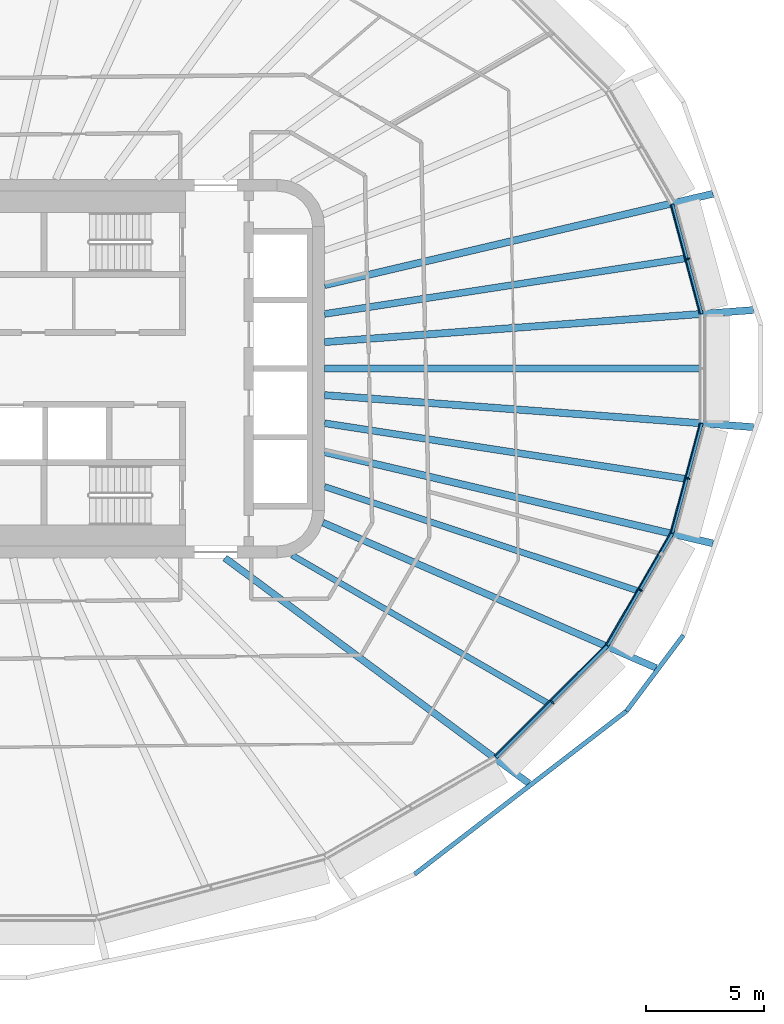
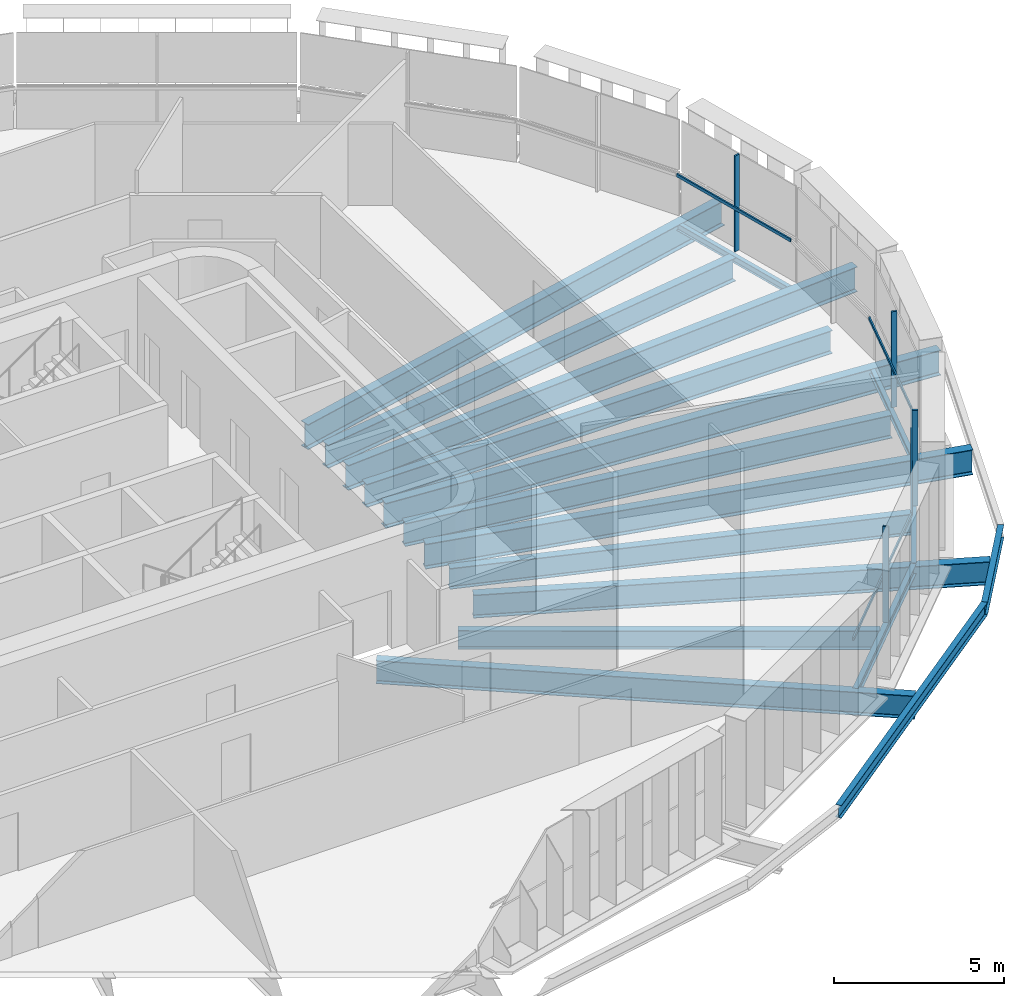
# One storey, part 4 of 22: 17 beams, 8 members, 4 elements without a shape of their own.
"""IFC4 building model written with IfcOpenShell, lengths in metres."""

from ifc_helpers import new_model, si_unit, direction, frame, origin, origin_2d, place, context, subcontext, project, spatial, rectangle, i_section, extrude, material, layer, layer_set, material_profile, profile_set, type_object, element, aggregate, save


model = new_model("IFC4")

# Units and contexts
model_context = context("Model", 3, precision=1e-05, world=origin(), true_north=direction((0.0, 1.0)))
body_context = subcontext(model_context, "Body", "Model", "MODEL_VIEW")
ifc_project = project(units=[si_unit("LENGTHUNIT", "METRE"), si_unit("AREAUNIT", "SQUARE_METRE"), si_unit("VOLUMEUNIT", "CUBIC_METRE"), si_unit("PLANEANGLEUNIT", "RADIAN"), si_unit("MASSUNIT", "GRAM", prefix="KILO")], contexts=[model_context])

# Site, building, storey
site_placement = place(None, origin())
site = spatial("IfcSite", under=ifc_project, at=site_placement, CompositionType="ELEMENT")
building_placement = place(site_placement, origin())
building = spatial("IfcBuilding", under=site, at=building_placement, Name="Sahrelin Media Tower", CompositionType="ELEMENT")
storey_placement = place(building_placement, frame((0.0, 0.0, 177.60009765625)))
storey = spatial("IfcBuildingStorey", under=building, at=storey_placement, Name="L37", CompositionType="ELEMENT", Elevation=177.60009765625)

# Beams
ifc_material_1 = material(Name="Steel S355", Category="steel")
ifc_material_profile_1 = material_profile(ifc_material_1, i_section(OverallWidth=0.14599609375, OverallDepth=0.25146484375, WebThickness=0.006103515625, FlangeThickness=0.008544921875, FilletRadius=0.007568359375, at=origin_2d()), Name="UB 254x146x31")
ifc_profile_set_1 = profile_set([ifc_material_profile_1], Name="Steel S355")
beam_type_1 = type_object("IfcBeamType", Name="Edge beam EB1", PredefinedType="BEAM", material=ifc_profile_set_1)
for number, where, z_axis, x_axis, name in (
    (1, (30.927978515625, -2.316162109375, -0.27587890625), (-0.258830389301, -0.965922786549, 0.0), (0.965922786549, -0.258830389301, 0.0), "Edge beam L37-02"),
    (2, (29.688720703125, 6.94091796875, -0.27587890625), (0.258830389301, -0.965922786549, 0.0), (0.965922786549, 0.258830389301, 0.0), "Edge beam L37-20"),
):
    element("IfcBeam", number, at=place(storey_placement, frame(where, z_axis=z_axis, x_axis=x_axis)), inside=storey, type_object=beam_type_1, Name=name, PredefinedType="BEAM", context=body_context, shape_type="SweptSolid", body=[
        extrude(i_section(OverallWidth=0.14599609375, OverallDepth=0.25146484375, WebThickness=0.006103515625, FlangeThickness=0.008544921875, FilletRadius=0.007568359375, at=origin_2d()), origin(), (0.0, 0.0, 1.0), 4.787841796875),
    ])
ifc_material_profile_2 = material_profile(ifc_material_1, i_section(OverallWidth=0.1650390625, OverallDepth=0.303466796875, WebThickness=0.006103515625, FlangeThickness=0.01025390625, FilletRadius=0.0087890625, at=origin_2d()), Name="UB 305x165x40")
ifc_profile_set_2 = profile_set([ifc_material_profile_2], Name="Steel S355")
beam_type_2 = type_object("IfcBeamType", Name="Edge beam EB2", PredefinedType="BEAM", material=ifc_profile_set_2)
beam_1_placement = place(storey_placement, frame((29.677734375, -6.967529296875, -0.3017578125), z_axis=(-0.500021926039, -0.86601274441, 0.0), x_axis=(0.86601274441, -0.500021926039, 0.0)))
element("IfcBeam", 3, at=beam_1_placement, inside=storey, type_object=beam_type_2, Name="Edge beam L37-03", PredefinedType="BEAM", context=body_context, shape_type="SweptSolid", body=[
    extrude(i_section(OverallWidth=0.1650390625, OverallDepth=0.303466796875, WebThickness=0.006103515625, FlangeThickness=0.01025390625, FilletRadius=0.0087890625, at=origin_2d()), origin(), (0.0, 0.0, 1.0), 5.457275390625),
])
ifc_material_profile_3 = material_profile(ifc_material_1, i_section(OverallWidth=0.17138671875, OverallDepth=0.35498046875, WebThickness=0.00732421875, FlangeThickness=0.011474609375, FilletRadius=0.01025390625, at=origin_2d()), Name="UB 356x171x51")
ifc_profile_set_3 = profile_set([ifc_material_profile_3], Name="Steel S355")
beam_type_3 = type_object("IfcBeamType", Name="Edge beam EB3", PredefinedType="BEAM", material=ifc_profile_set_3)
beam_2_placement = place(storey_placement, frame((26.931396484375, -11.716552734375, -0.32763671875), z_axis=(-0.707088411198, -0.707125150698, 0.0), x_axis=(0.707125150698, -0.707088411198, 0.0)))
element("IfcBeam", 4, at=beam_2_placement, inside=storey, type_object=beam_type_3, Name="Edge beam L37-04", PredefinedType="BEAM", context=body_context, shape_type="SweptSolid", body=[
    extrude(i_section(OverallWidth=0.17138671875, OverallDepth=0.35498046875, WebThickness=0.00732421875, FlangeThickness=0.011474609375, FilletRadius=0.01025390625, at=origin_2d()), origin(), (0.0, 0.0, 1.0), 6.645263671875),
])

# Curtain wall, member
ifc_material_2 = material(Name="Champagne anodised aluminium 6063-T6", Category="aluminium")
ifc_layer = layer(ifc_material_2, 0.14990234375)
ifc_layer_set = layer_set([ifc_layer], Name="Tower ribbon curtain wall")
curtain_wall_type = type_object("IfcCurtainWallType", Name="Tower ribbon curtain wall", PredefinedType="NOTDEFINED", material=ifc_layer_set)
curtain_wall_1_placement = place(storey_placement, frame((30.453369140625, 4.667236328125, 0.0), z_axis=(0.0, 0.0, 1.0), x_axis=(1.0, 0.0, 0.0)))
curtain_wall_1 = element("IfcCurtainWall", 5, at=curtain_wall_1_placement, inside=storey, type_object=curtain_wall_type, Name="L37:CW:L37-01", PredefinedType="NOTDEFINED")
ifc_material_profile_4 = material_profile(ifc_material_2, rectangle(XDim=0.06005859375, YDim=0.175048828125, at=origin_2d()), Name="Mullion 60x175")
ifc_profile_set_4 = profile_set([ifc_material_profile_4], Name="Champagne anodised aluminium 6063-T6")
member_type_1 = type_object("IfcMemberType", Name="Mullion 60x175 CW1B", PredefinedType="MULLION", material=ifc_profile_set_4)
member_1_placement = place(storey_placement, frame((30.349365234375, 4.639404296875, 0.0), z_axis=(0.0, 0.0, 1.0), x_axis=(-0.258808929937, 0.965928536583, 0.0)))
member_1 = element("IfcMember", 6, at=member_1_placement, type_object=member_type_1, Name="L37:CWM:L37-01", PredefinedType="MULLION", context=body_context, shape_type="SweptSolid", body=[
    extrude(rectangle(XDim=0.06005859375, YDim=0.175048828125, at=origin_2d()), origin(), (0.0, 0.0, 1.0), 3.448486328125),
])

curtain_wall_2_placement = place(storey_placement, frame((24.688232421875, -14.172119140625, 0.0), z_axis=(0.0, 0.0, 1.0), x_axis=(1.0, 0.0, 0.0)))
curtain_wall_2 = element("IfcCurtainWall", 7, at=curtain_wall_2_placement, inside=storey, type_object=curtain_wall_type, Name="L37:CW:L37-21", PredefinedType="NOTDEFINED")
member_2_placement = place(storey_placement, frame((24.612060546875, -14.09619140625, 0.0), z_axis=(0.0, 0.0, 1.0), x_axis=(0.707099376343, 0.707114185953, 0.0)))
member_2 = element("IfcMember", 8, at=member_2_placement, type_object=member_type_1, Name="L37:CWM:L37-21", PredefinedType="MULLION", context=body_context, shape_type="SweptSolid", body=[
    extrude(rectangle(XDim=0.06005859375, YDim=0.175048828125, at=origin_2d()), origin(), (0.0, 0.0, 1.0), 3.448486328125),
])

curtain_wall_3_placement = place(storey_placement, frame((28.443359375, -9.405517578125, 0.0), z_axis=(0.0, 0.0, 1.0), x_axis=(1.0, 0.0, 0.0)))
curtain_wall_3 = element("IfcCurtainWall", 9, at=curtain_wall_3_placement, inside=storey, type_object=curtain_wall_type, Name="L37:CW:L37-22", PredefinedType="NOTDEFINED")
member_3_placement = place(storey_placement, frame((28.35009765625, -9.351806640625, 0.0), z_axis=(0.0, 0.0, 1.0), x_axis=(0.500004534492, 0.866022785779, 0.0)))
member_3 = element("IfcMember", 10, at=member_3_placement, type_object=member_type_1, Name="L37:CWM:L37-22", PredefinedType="MULLION", context=body_context, shape_type="SweptSolid", body=[
    extrude(rectangle(XDim=0.06005859375, YDim=0.175048828125, at=origin_2d()), origin(), (0.0, 0.0, 1.0), 3.448486328125),
])

curtain_wall_4_placement = place(storey_placement, frame((30.453369140625, -4.667236328125, 0.0), z_axis=(0.0, 0.0, 1.0), x_axis=(1.0, 0.0, 0.0)))
curtain_wall_4 = element("IfcCurtainWall", 11, at=curtain_wall_4_placement, inside=storey, type_object=curtain_wall_type, Name="L37:CW:L37-23", PredefinedType="NOTDEFINED")
member_4_placement = place(storey_placement, frame((30.349365234375, -4.639404296875, 0.0), z_axis=(0.0, 0.0, 1.0), x_axis=(0.258808929937, 0.965928536583, 0.0)))
member_4 = element("IfcMember", 12, at=member_4_placement, type_object=member_type_1, Name="L37:CWM:L37-23", PredefinedType="MULLION", context=body_context, shape_type="SweptSolid", body=[
    extrude(rectangle(XDim=0.06005859375, YDim=0.175048828125, at=origin_2d()), origin(), (0.0, 0.0, 1.0), 3.448486328125),
])

# Beams
ifc_material_profile_5 = material_profile(ifc_material_1, i_section(OverallWidth=0.291748046875, OverallDepth=0.8349609375, WebThickness=0.013916015625, FlangeThickness=0.018798828125, FilletRadius=0.017822265625, at=origin_2d()), Name="UB 838x292x176")
ifc_profile_set_5 = profile_set([ifc_material_profile_5], Name="Steel S355")
beam_type_4 = type_object("IfcBeamType", Name="Radial primary beam PB10", PredefinedType="BEAM", material=ifc_profile_set_5)
beam_3_placement = place(storey_placement, frame((10.789306640625, -8.0, -0.567626953125), z_axis=(0.803267440972, -0.595618517403, 0.0), x_axis=(0.595618517403, 0.803267440972, 0.0)))
element("IfcBeam", 13, at=beam_3_placement, inside=storey, type_object=beam_type_4, Name="Radial beam L37-21", PredefinedType="BEAM", context=body_context, shape_type="SweptSolid", body=[
    extrude(i_section(OverallWidth=0.291748046875, OverallDepth=0.8349609375, WebThickness=0.013916015625, FlangeThickness=0.018798828125, FilletRadius=0.017822265625, at=origin_2d()), origin(), (0.0, 0.0, 1.0), 15.9912109375),
])
beam_4_placement = place(storey_placement, frame((14.932861328125, -6.510498046875, -0.567626953125), z_axis=(0.916667884618, -0.399649833367, 0.0), x_axis=(0.399649833367, 0.916667884618, 0.0)))
element("IfcBeam", 14, at=beam_4_placement, inside=storey, type_object=beam_type_4, Name="Radial beam L37-22", PredefinedType="BEAM", context=body_context, shape_type="SweptSolid", body=[
    extrude(i_section(OverallWidth=0.291748046875, OverallDepth=0.8349609375, WebThickness=0.013916015625, FlangeThickness=0.018798828125, FilletRadius=0.017822265625, at=origin_2d()), origin(), (0.0, 0.0, 1.0), 15.353515625),
])
ifc_material_profile_6 = material_profile(ifc_material_1, i_section(OverallWidth=0.30322265625, OverallDepth=0.903076171875, WebThickness=0.01513671875, FlangeThickness=0.020263671875, FilletRadius=0.01904296875, at=origin_2d()), Name="UB 914x305x201")
ifc_profile_set_6 = profile_set([ifc_material_profile_6], Name="Steel S355")
beam_type_5 = type_object("IfcBeamType", Name="Radial primary beam PB11", PredefinedType="BEAM", material=ifc_profile_set_6)
beam_5_placement = place(storey_placement, frame((15.0, 1.12060546875, -0.6015625), z_axis=(0.997222109228, 0.074485333229, 0.0), x_axis=(-0.074485333229, 0.997222109228, 0.0)))
element("IfcBeam", 15, at=beam_5_placement, inside=storey, type_object=beam_type_5, Name="Radial beam L37-01", PredefinedType="BEAM", context=body_context, shape_type="SweptSolid", body=[
    extrude(i_section(OverallWidth=0.30322265625, OverallDepth=0.903076171875, WebThickness=0.01513671875, FlangeThickness=0.020263671875, FilletRadius=0.01904296875, at=origin_2d()), origin(), (0.0, 0.0, 1.0), 18.171630859375),
])
for number, where, z_axis, x_axis, name in (
    (16, (15.0, 3.527099609375, -0.6015625), (0.973454949191, 0.228878705642, 0.0), (-0.228878705642, 0.973454949191, 0.0), "Radial beam L37-02"),
    (17, (15.0, -3.527099609375, -0.6015625), (0.973454949191, -0.228878705642, 0.0), (0.228878705642, 0.973454949191, 0.0), "Radial beam L37-23"),
):
    element("IfcBeam", number, at=place(storey_placement, frame(where, z_axis=z_axis, x_axis=x_axis)), inside=storey, type_object=beam_type_5, Name=name, PredefinedType="BEAM", context=body_context, shape_type="SweptSolid", body=[
        extrude(i_section(OverallWidth=0.30322265625, OverallDepth=0.903076171875, WebThickness=0.01513671875, FlangeThickness=0.020263671875, FilletRadius=0.01904296875, at=origin_2d()), origin(), (0.0, 0.0, 1.0), 16.85888671875),
    ])
beam_6_placement = place(storey_placement, frame((15.0, -1.12060546875, -0.6015625), z_axis=(0.997222109228, -0.074485333229, 0.0), x_axis=(0.074485333229, 0.997222109228, 0.0)))
element("IfcBeam", 18, at=beam_6_placement, inside=storey, type_object=beam_type_5, Name="Radial beam L37-24", PredefinedType="BEAM", context=body_context, shape_type="SweptSolid", body=[
    extrude(i_section(OverallWidth=0.30322265625, OverallDepth=0.903076171875, WebThickness=0.01513671875, FlangeThickness=0.020263671875, FilletRadius=0.01904296875, at=origin_2d()), origin(), (0.0, 0.0, 1.0), 18.171630859375),
])
ifc_material_profile_7 = material_profile(ifc_material_1, i_section(OverallWidth=0.291748046875, OverallDepth=0.8349609375, WebThickness=0.013916015625, FlangeThickness=0.018798828125, FilletRadius=0.017822265625, at=origin_2d()), Name="UB 838x292x176")
ifc_profile_set_7 = profile_set([ifc_material_profile_7], Name="Steel S355")
beam_type_6 = type_object("IfcBeamType", Name="Radial secondary beam SB10", PredefinedType="BEAM", material=ifc_profile_set_7)
for number, where, z_axis, x_axis, name in (
    (19, (15.0, 2.30908203125, -0.567626953125), (0.988354469589, 0.152169124475, 0.0), (-0.152169124475, 0.988354469589, 0.0), "Secondary beam L37-01"),
    (20, (15.0, -2.30908203125, -0.567626953125), (0.988354469589, -0.152169124475, 0.0), (0.152169124475, 0.988354469589, 0.0), "Secondary beam L37-19"),
):
    element("IfcBeam", number, at=place(storey_placement, frame(where, z_axis=z_axis, x_axis=x_axis)), inside=storey, type_object=beam_type_6, Name=name, PredefinedType="BEAM", context=body_context, shape_type="SweptSolid", body=[
        extrude(i_section(OverallWidth=0.291748046875, OverallDepth=0.8349609375, WebThickness=0.013916015625, FlangeThickness=0.018798828125, FilletRadius=0.017822265625, at=origin_2d()), origin(), (0.0, 0.0, 1.0), 15.405517578125),
    ])
beam_7_placement = place(storey_placement, frame((15.0, 0.0, -0.567626953125), z_axis=(1.0, 0.0, 0.0), x_axis=(0.0, 1.0, 0.0)))
element("IfcBeam", 21, at=beam_7_placement, inside=storey, type_object=beam_type_6, Name="Secondary beam L37-20", PredefinedType="BEAM", context=body_context, shape_type="SweptSolid", body=[
    extrude(i_section(OverallWidth=0.291748046875, OverallDepth=0.8349609375, WebThickness=0.013916015625, FlangeThickness=0.018798828125, FilletRadius=0.017822265625, at=origin_2d()), origin(), (0.0, 0.0, 1.0), 15.858642578125),
])
ifc_material_profile_8 = material_profile(ifc_material_1, i_section(OverallWidth=0.2529296875, OverallDepth=0.677978515625, WebThickness=0.01171875, FlangeThickness=0.01611328125, FilletRadius=0.01513671875, at=origin_2d()), Name="UB 686x254x125")
ifc_profile_set_8 = profile_set([ifc_material_profile_8], Name="Steel S355")
beam_type_7 = type_object("IfcBeamType", Name="Radial secondary beam SB8", PredefinedType="BEAM", material=ifc_profile_set_8)
beam_8_placement = place(storey_placement, frame((13.628173828125, -7.885986328125, -0.489013671875), z_axis=(0.865530979907, -0.500855391128, 0.0), x_axis=(0.500855391128, 0.865530979907, 0.0)))
element("IfcBeam", 22, at=beam_8_placement, inside=storey, type_object=beam_type_7, Name="Secondary beam L37-17", PredefinedType="BEAM", context=body_context, shape_type="SweptSolid", body=[
    extrude(i_section(OverallWidth=0.2529296875, OverallDepth=0.677978515625, WebThickness=0.01171875, FlangeThickness=0.01611328125, FilletRadius=0.01513671875, at=origin_2d()), origin(), (0.0, 0.0, 1.0), 12.450927734375),
])
ifc_material_profile_9 = material_profile(ifc_material_1, i_section(OverallWidth=0.26513671875, OverallDepth=0.75390625, WebThickness=0.0126953125, FlangeThickness=0.017578125, FilletRadius=0.0166015625, at=origin_2d()), Name="UB 762x267x147")
ifc_profile_set_9 = profile_set([ifc_material_profile_9], Name="Steel S355")
beam_type_8 = type_object("IfcBeamType", Name="Radial secondary beam SB9", PredefinedType="BEAM", material=ifc_profile_set_9)
beam_9_placement = place(storey_placement, frame((15.0, -4.988037109375, -0.527099609375), z_axis=(0.948909587567, -0.315548086072, 0.0), x_axis=(0.315548086072, 0.948909587567, 0.0)))
element("IfcBeam", 23, at=beam_9_placement, inside=storey, type_object=beam_type_8, Name="Secondary beam L37-18", PredefinedType="BEAM", context=body_context, shape_type="SweptSolid", body=[
    extrude(i_section(OverallWidth=0.26513671875, OverallDepth=0.75390625, WebThickness=0.0126953125, FlangeThickness=0.017578125, FilletRadius=0.0166015625, at=origin_2d()), origin(), (0.0, 0.0, 1.0), 13.902587890625),
])
ifc_material_profile_10 = material_profile(ifc_material_1, i_section(OverallWidth=0.1904296875, OverallDepth=0.45703125, WebThickness=0.009033203125, FlangeThickness=0.014404296875, FilletRadius=0.01025390625, at=origin_2d()), Name="UB 457x191x74")
ifc_profile_set_10 = profile_set([ifc_material_profile_10], Name="Steel S355")
beam_type_9 = type_object("IfcBeamType", Name="Tie chord TC5", PredefinedType="BEAM", material=ifc_profile_set_10)
beam_10_placement = place(storey_placement, frame((18.802001953125, -21.3642578125, -0.378662109375), z_axis=(0.792444846493, 0.609943575477, 0.0), x_axis=(-0.609943575477, 0.792444846493, 0.0)))
element("IfcBeam", 24, at=beam_10_placement, inside=storey, type_object=beam_type_9, Name="Tie chord L37-21", PredefinedType="BEAM", context=body_context, shape_type="SweptSolid", body=[
    extrude(i_section(OverallWidth=0.1904296875, OverallDepth=0.45703125, WebThickness=0.009033203125, FlangeThickness=0.014404296875, FilletRadius=0.01025390625, at=origin_2d()), origin(), (0.0, 0.0, 1.0), 11.300048828125),
])
beam_11_placement = place(storey_placement, frame((27.756591796875, -14.471923828125, -0.378662109375), z_axis=(0.600068228926, 0.799948823759, 0.0), x_axis=(-0.799948823759, 0.600068228926, 0.0)))
element("IfcBeam", 25, at=beam_11_placement, inside=storey, type_object=beam_type_9, Name="Tie chord L37-22", PredefinedType="BEAM", context=body_context, shape_type="SweptSolid", body=[
    extrude(i_section(OverallWidth=0.1904296875, OverallDepth=0.45703125, WebThickness=0.009033203125, FlangeThickness=0.014404296875, FilletRadius=0.01025390625, at=origin_2d()), origin(), (0.0, 0.0, 1.0), 4.007568359375),
])

# Member
ifc_material_profile_11 = material_profile(ifc_material_2, rectangle(XDim=0.050048828125, YDim=0.110107421875, at=origin_2d()), Name="Transom 50x110")
ifc_profile_set_11 = profile_set([ifc_material_profile_11], Name="Champagne anodised aluminium 6063-T6")
member_type_2 = type_object("IfcMemberType", Name="Transom 50x110 CW1B", PredefinedType="USERDEFINED", material=ifc_profile_set_11)
member_5_placement = place(storey_placement, frame((30.856201171875, 2.313232421875, 1.599853515625), z_axis=(-0.258793383452, 0.965932701942, 0.0), x_axis=(-0.965932701942, -0.258793383452, 0.0)))
member_5 = element("IfcMember", 26, at=member_5_placement, type_object=member_type_2, Name="L37:CWT:L37-01", ObjectType="TRANSOM", PredefinedType="USERDEFINED", context=body_context, shape_type="SweptSolid", body=[
    extrude(rectangle(XDim=0.050048828125, YDim=0.110107421875, at=origin_2d()), origin(), (0.0, 0.0, 1.0), 4.756591796875),
])

aggregate(curtain_wall_1, [member_1, member_5])

member_6_placement = place(storey_placement, frame((22.1943359375, -16.35498046875, 1.599853515625), z_axis=(0.707088323929, 0.707125237963, 0.0), x_axis=(-0.707125237963, 0.707088323929, 0.0)))
member_6 = element("IfcMember", 27, at=member_6_placement, type_object=member_type_2, Name="L37:CWT:L37-21", ObjectType="TRANSOM", PredefinedType="USERDEFINED", context=body_context, shape_type="SweptSolid", body=[
    extrude(rectangle(XDim=0.050048828125, YDim=0.110107421875, at=origin_2d()), origin(), (0.0, 0.0, 1.0), 6.61376953125),
])

aggregate(curtain_wall_2, [member_2, member_6])

member_7_placement = place(storey_placement, frame((26.896240234375, -11.64501953125, 1.599853515625), z_axis=(0.500024950497, 0.866010998129, 0.0), x_axis=(-0.866010998129, 0.500024950497, 0.0)))
member_7 = element("IfcMember", 28, at=member_7_placement, type_object=member_type_2, Name="L37:CWT:L37-22", ObjectType="TRANSOM", PredefinedType="USERDEFINED", context=body_context, shape_type="SweptSolid", body=[
    extrude(rectangle(XDim=0.050048828125, YDim=0.110107421875, at=origin_2d()), origin(), (0.0, 0.0, 1.0), 5.426025390625),
])

aggregate(curtain_wall_3, [member_3, member_7])

member_8_placement = place(storey_placement, frame((29.625244140625, -6.90771484375, 1.599853515625), z_axis=(0.258793383452, 0.965932701942, 0.0), x_axis=(-0.965932701942, 0.258793383452, 0.0)))
member_8 = element("IfcMember", 29, at=member_8_placement, type_object=member_type_2, Name="L37:CWT:L37-23", ObjectType="TRANSOM", PredefinedType="USERDEFINED", context=body_context, shape_type="SweptSolid", body=[
    extrude(rectangle(XDim=0.050048828125, YDim=0.110107421875, at=origin_2d()), origin(), (0.0, 0.0, 1.0), 4.756591796875),
])

aggregate(curtain_wall_4, [member_4, member_8])

save(model, "model.ifc")
